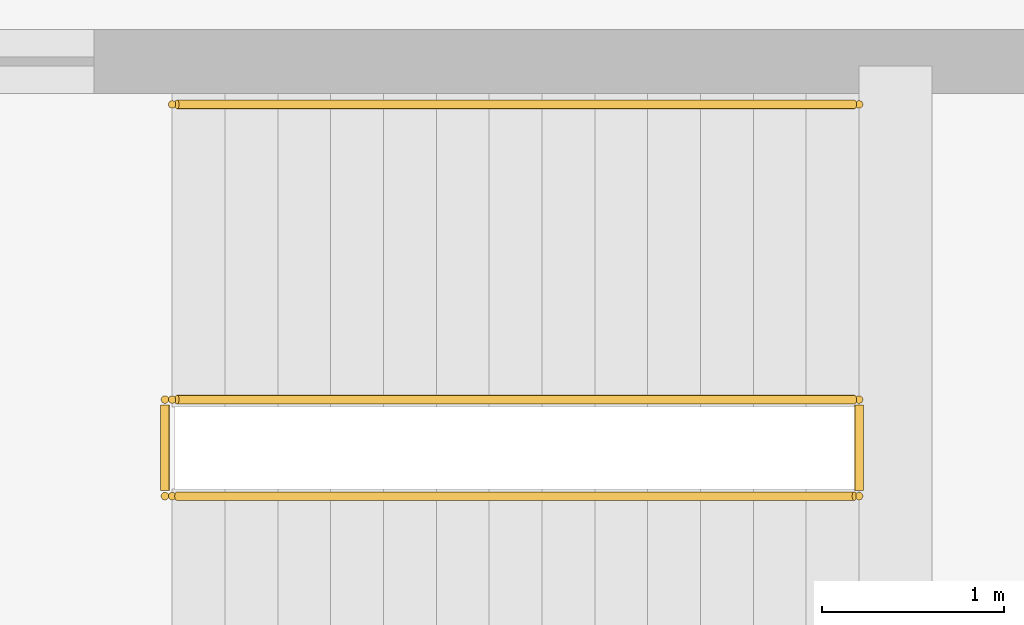
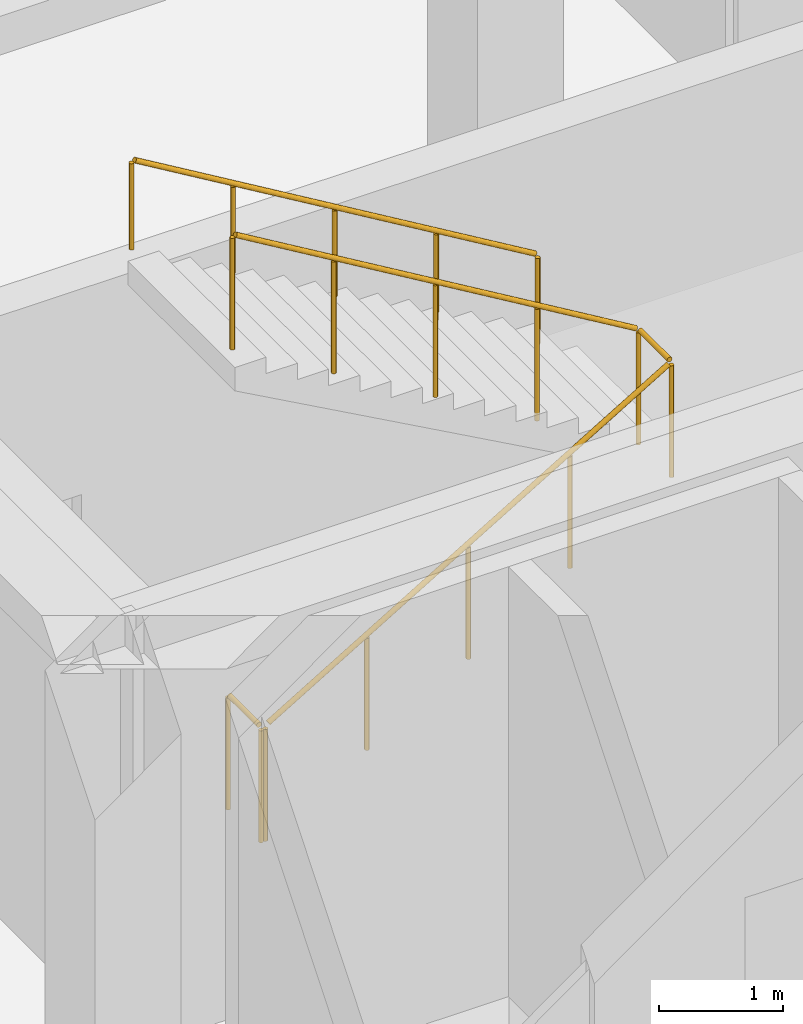
# One storey, part 83 of 85: 3 railings.
"""IFC4 building model written with IfcOpenShell, lengths in metres."""

from ifc_helpers import new_model, si_unit, direction, frame, origin, origin_2d, place, context, subcontext, project, spatial, circle, extrude, material, type_object, element, save


model = new_model("IFC4")

# Units and contexts
model_context = context("Model", 3, precision=1e-05, world=origin(), true_north=direction((0.0, 1.0)))
body_context = subcontext(model_context, "Body", "Model", "MODEL_VIEW")
ifc_project = project(units=[si_unit("LENGTHUNIT", "METRE"), si_unit("AREAUNIT", "SQUARE_METRE"), si_unit("VOLUMEUNIT", "CUBIC_METRE"), si_unit("PLANEANGLEUNIT", "RADIAN"), si_unit("MASSUNIT", "GRAM", prefix="KILO")], contexts=[model_context])

# Site, building, storey
site_placement = place(None, origin())
site = spatial("IfcSite", under=ifc_project, at=site_placement, CompositionType="ELEMENT")
building_placement = place(site_placement, origin())
building = spatial("IfcBuilding", under=site, at=building_placement, Name="Almacenes y Pasaje Nevantli", CompositionType="ELEMENT")
storey_placement = place(building_placement, frame((0.0, 0.0, 22.199951171875)))
storey = spatial("IfcBuildingStorey", under=building, at=storey_placement, Name="L05", CompositionType="ELEMENT", Elevation=22.199951171875)

# Railings
ifc_material_1 = material(Name="Brushed Stainless Steel and Tempered Safety Glass", Category="steel")
railing_type_1 = type_object("IfcRailingType", Name="RL-GUARD-1100", PredefinedType="BALUSTRADE", material=ifc_material_1)
railing_1_placement = place(storey_placement, frame((120.300048828125, 77.830078125, 0.0)))
element("IfcRailing", 1, at=railing_1_placement, inside=storey, type_object=railing_type_1, Name="L05 Stair ST-01 Inner Well Guard Balustrade", PredefinedType="BALUSTRADE", context=body_context, shape_type="SweptSolid", body=[
    extrude(circle(Radius=0.02392578125, at=origin_2d()), frame((0.02587890625, 0.0, 1.14111328125), z_axis=(0.858697585051, 0.0, 0.512482641098), x_axis=(0.0, 1.0, 0.0)), (0.0, 0.0, 1.0), 4.330322265625),
    extrude(circle(Radius=0.02392578125, at=origin_2d()), frame((3.77001953125, 0.030029296875, 3.3759765625), z_axis=(0.0, 1.0, 0.0), x_axis=(-1.0, 0.0, 0.0)), (0.0, 0.0, 1.0), 0.469970703125),
    extrude(circle(Radius=0.02392578125, at=origin_2d()), frame((3.744140625, 0.530029296875, 3.39111328125), z_axis=(-0.858697585051, 0.0, 0.512482641098), x_axis=(0.0, -1.0, 0.0)), (0.0, 0.0, 1.0), 4.330322265625),
    extrude(circle(Radius=0.02099609375, at=origin_2d()), origin(), (0.0, 0.0, 1.0), 1.096923828125),
    extrude(circle(Radius=0.02099609375, at=origin_2d()), frame((0.9423828125, 0.0, 0.5625)), (0.0, 0.0, 1.0), 1.096923828125),
    extrude(circle(Radius=0.02099609375, at=origin_2d()), frame((1.885009765625, 0.0, 1.125)), (0.0, 0.0, 1.0), 1.096923828125),
    extrude(circle(Radius=0.02099609375, at=origin_2d()), frame((2.82763671875, 0.0, 1.6875)), (0.0, 0.0, 1.0), 1.096923828125),
    extrude(circle(Radius=0.02099609375, at=origin_2d()), frame((3.77001953125, 0.0, 2.25)), (0.0, 0.0, 1.0), 1.096923828125),
    extrude(circle(Radius=0.02099609375, at=origin_2d()), frame((3.77001953125, 0.530029296875, 2.25)), (0.0, 0.0, 1.0), 1.096923828125),
    extrude(circle(Radius=0.02099609375, at=origin_2d()), frame((2.82763671875, 0.530029296875, 2.8125)), (0.0, 0.0, 1.0), 1.096923828125),
    extrude(circle(Radius=0.02099609375, at=origin_2d()), frame((1.885009765625, 0.530029296875, 3.375)), (0.0, 0.0, 1.0), 1.096923828125),
    extrude(circle(Radius=0.02099609375, at=origin_2d()), frame((0.9423828125, 0.530029296875, 3.9375)), (0.0, 0.0, 1.0), 1.096923828125),
    extrude(circle(Radius=0.02099609375, at=origin_2d()), frame((0.0, 0.530029296875, 4.5)), (0.0, 0.0, 1.0), 1.096923828125),
])
railing_2_placement = place(storey_placement, frame((120.260009765625, 77.830078125, 0.0)))
element("IfcRailing", 2, at=railing_2_placement, inside=storey, type_object=railing_type_1, Name="L05 Stair ST-01 Landing Well Slot Guard", PredefinedType="BALUSTRADE", context=body_context, shape_type="SweptSolid", body=[
    extrude(circle(Radius=0.02392578125, at=origin_2d()), frame((0.0, 0.030029296875, 1.1259765625), z_axis=(0.0, 1.0, 0.0), x_axis=(-1.0, 0.0, 0.0)), (0.0, 0.0, 1.0), 0.469970703125),
    extrude(circle(Radius=0.02099609375, at=origin_2d()), origin(), (0.0, 0.0, 1.0), 1.096923828125),
    extrude(circle(Radius=0.02099609375, at=origin_2d()), frame((0.0, 0.530029296875, 0.0)), (0.0, 0.0, 1.0), 1.096923828125),
])
ifc_material_2 = material(Name="Brushed Stainless Steel Tube", Category="steel")
railing_type_2 = type_object("IfcRailingType", Name="RL-HANDRAIL-900", PredefinedType="HANDRAIL", material=ifc_material_2)
railing_3_placement = place(storey_placement, frame((124.070068359375, 79.97998046875, 2.25)))
element("IfcRailing", 3, at=railing_3_placement, inside=storey, type_object=railing_type_2, Name="L05 Stair ST-01 Upper Flight Handrail", PredefinedType="HANDRAIL", context=body_context, shape_type="SweptSolid", body=[
    extrude(circle(Radius=0.02392578125, at=origin_2d()), frame((-0.02587890625, 0.0, 0.89111328125), z_axis=(-0.858697585051, 0.0, 0.512482641098), x_axis=(0.0, -1.0, 0.0)), (0.0, 0.0, 1.0), 4.330322265625),
    extrude(circle(Radius=0.02099609375, at=origin_2d()), origin(), (0.0, 0.0, 1.0), 0.846923828125),
    extrude(circle(Radius=0.02099609375, at=origin_2d()), frame((-0.9423828125, 0.0, 0.5625)), (0.0, 0.0, 1.0), 0.846923828125),
    extrude(circle(Radius=0.02099609375, at=origin_2d()), frame((-1.885009765625, 0.0, 1.125)), (0.0, 0.0, 1.0), 0.846923828125),
    extrude(circle(Radius=0.02099609375, at=origin_2d()), frame((-2.82763671875, 0.0, 1.6875)), (0.0, 0.0, 1.0), 0.846923828125),
    extrude(circle(Radius=0.02099609375, at=origin_2d()), frame((-3.77001953125, 0.0, 2.25)), (0.0, 0.0, 1.0), 0.846923828125),
])

save(model, "model.ifc")
